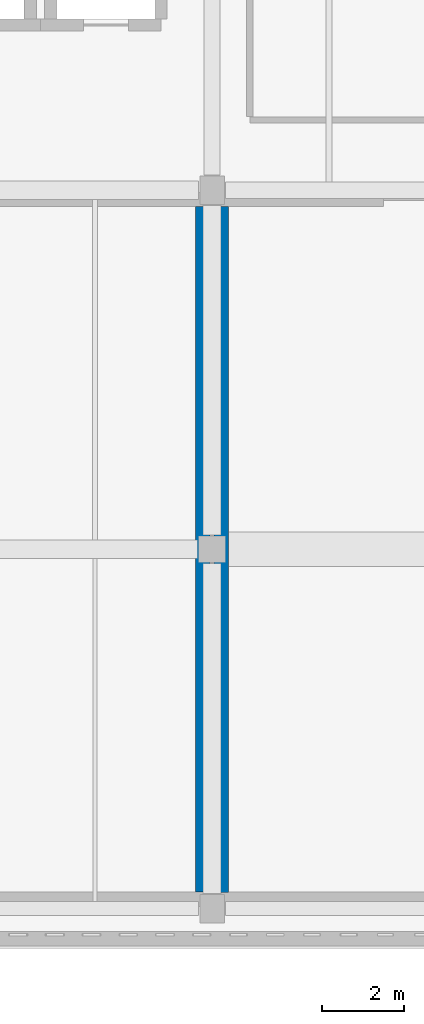
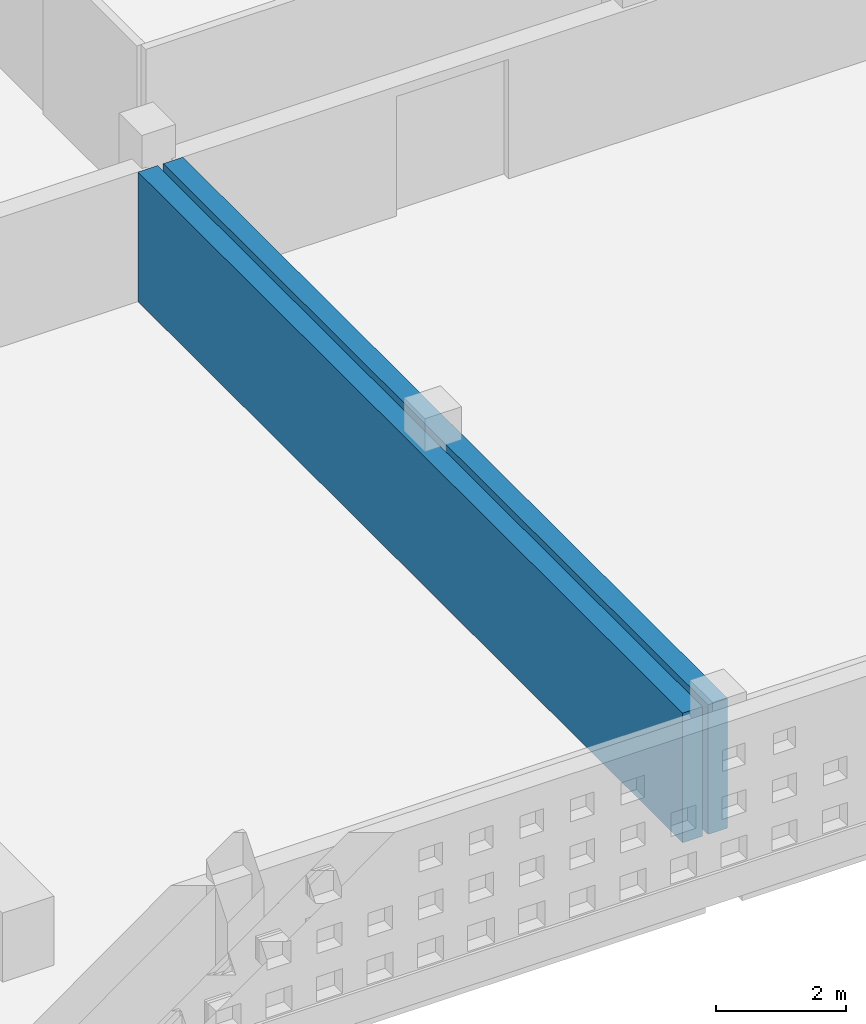
# One storey, part 22 of 34: 2 walls.
"""IFC4 building model written with IfcOpenShell, lengths in metres."""

from ifc_helpers import new_model, si_unit, direction, frame, frame_2d, origin, place, context, subcontext, project, spatial, rectangle, extrude, material, layer, layer_set, type_object, element, save


model = new_model("IFC4")

# Units and contexts
model_context = context("Model", 3, precision=1e-05, world=origin(), true_north=direction((0.0, 1.0)))
body_context = subcontext(model_context, "Body", "Model", "MODEL_VIEW")
ifc_project = project(units=[si_unit("LENGTHUNIT", "METRE"), si_unit("AREAUNIT", "SQUARE_METRE"), si_unit("VOLUMEUNIT", "CUBIC_METRE"), si_unit("PLANEANGLEUNIT", "RADIAN"), si_unit("MASSUNIT", "GRAM", prefix="KILO")], contexts=[model_context])

# Site, building, storey
site_placement = place(None, origin())
site = spatial("IfcSite", under=ifc_project, at=site_placement, CompositionType="ELEMENT")
building_placement = place(site_placement, origin())
building = spatial("IfcBuilding", under=site, at=building_placement, Name="Varnakota Cinema and Media Centre", CompositionType="ELEMENT")
storey_placement = place(building_placement, frame((0.0, 0.0, 19.050048828125)))
storey = spatial("IfcBuildingStorey", under=building, at=storey_placement, Name="L05", CompositionType="ELEMENT", Elevation=19.050048828125)

# Walls
ifc_material = material(Name="Concrete M40", Category="concrete")
ifc_layer = layer(ifc_material, 0.35009765625)
ifc_layer_set = layer_set([ifc_layer], Name="Concrete M40")
wall_type = type_object("IfcWallType", Name="W-SEP-350", PredefinedType="SOLIDWALL", material=ifc_layer_set)
for number, where, z_axis, x_axis, name in (
    (1, (25.574951171875, 17.199951171875, 0.0), (0.0, 0.0, 1.0), (0.0, -1.0, 0.0), "L05 RWALL-RM-L05-SCR6 E wall"),
    (2, (26.02490234375, 0.39990234375, 0.0), (0.0, 0.0, 1.0), (0.0, 1.0, 0.0), "L05 RWALL-RM-L05-SCR7 W wall"),
):
    element("IfcWall", number, at=place(storey_placement, frame(where, z_axis=z_axis, x_axis=x_axis)), inside=storey, type_object=wall_type, Name=name, PredefinedType="SOLIDWALL", context=body_context, shape_type="SweptSolid", body=[
        extrude(rectangle(XDim=16.800048828125, YDim=0.35009765625, at=frame_2d((8.39990234375, 0.0))), origin(), (0.0, 0.0, 1.0), 2.43994140625),
    ])

save(model, "model.ifc")
